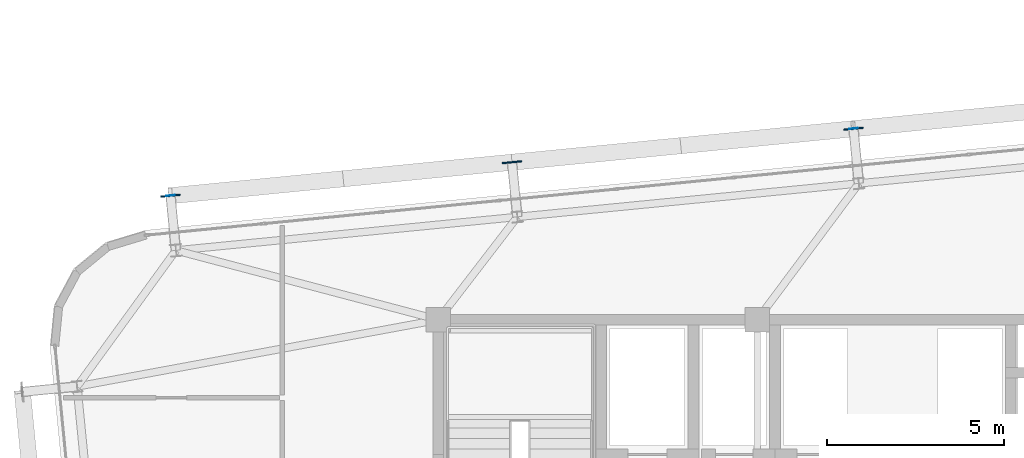
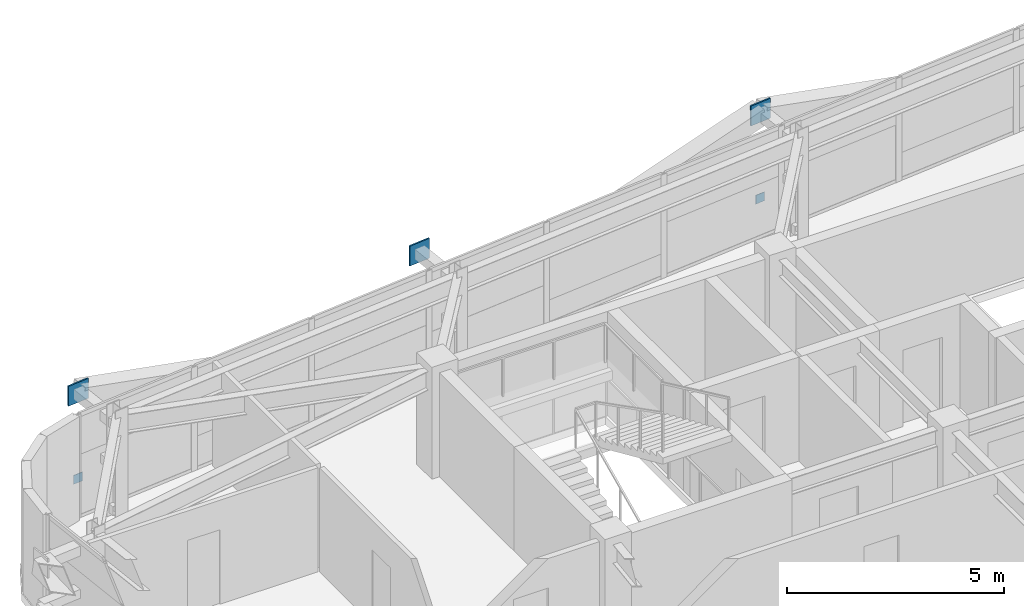
# One storey, part 43 of 53: 5 plates.
"""IFC4 building model written with IfcOpenShell, lengths in metres."""

from ifc_helpers import new_model, si_unit, direction, frame, origin, origin_2d, place, context, subcontext, project, spatial, rectangle, extrude, source, transform, mapped, material, layer, layer_set, type_object, element, save


model = new_model("IFC4")

# Units and contexts
model_context = context("Model", 3, precision=1e-05, world=origin(), true_north=direction((0.0, 1.0)))
body_context = subcontext(model_context, "Body", "Model", "MODEL_VIEW")
ifc_project = project(units=[si_unit("LENGTHUNIT", "METRE"), si_unit("AREAUNIT", "SQUARE_METRE"), si_unit("VOLUMEUNIT", "CUBIC_METRE"), si_unit("PLANEANGLEUNIT", "RADIAN"), si_unit("MASSUNIT", "GRAM", prefix="KILO")], contexts=[model_context])

# Site, building, storey
site_placement = place(None, origin())
site = spatial("IfcSite", under=ifc_project, at=site_placement, CompositionType="ELEMENT")
building_placement = place(site_placement, origin())
building = spatial("IfcBuilding", under=site, at=building_placement, Name="Taldren Reach Tower", CompositionType="ELEMENT")
storey_placement = place(building_placement, frame((0.0, 0.0, 84.0)))
storey = spatial("IfcBuildingStorey", under=building, at=storey_placement, Name="L25", CompositionType="ELEMENT", Elevation=84.0)

# Plates
ifc_material_1 = material(Name="Steel Gr 450 (C450L0)", Category="steel")
ifc_layer_1 = layer(ifc_material_1, 0.0400390625)
ifc_layer_set_1 = layer_set([ifc_layer_1], Name="Steel Gr 450 (C450L0)")
plate_type_1 = type_object("IfcPlateType", Name="PL-GUSSET-40", PredefinedType="SHEET", material=ifc_layer_set_1)
shared_shape_1 = source(origin(), body_context, "Body", "SweptSolid", [
    extrude(rectangle(XDim=0.56005859375, YDim=0.0400390625, at=origin_2d()), origin(), (0.0, 0.0, 1.0), 0.56005859375),
])
for number, where, z_axis, x_axis, name in (
    (1, (11.445556640625, 35.49951171875, 2.369873046875), (0.0, 0.0, 1.0), (0.995227399982, 0.097582899759, 0.0), "Exoskeleton star-node gusset plate B2-N1 L25"),
    (2, (21.079345703125, 36.444091796875, 2.369873046875), (0.0, 0.0, 1.0), (0.995227399982, 0.097582899759, 0.0), "Exoskeleton star-node gusset plate B2-N2 L25"),
    (3, (30.713134765625, 37.388671875, 2.369873046875), (0.0, 0.0, 1.0), (0.995227399982, 0.097582899759, 0.0), "Exoskeleton star-node gusset plate B2-N3 L25"),
):
    element("IfcPlate", number, at=place(storey_placement, frame(where, z_axis=z_axis, x_axis=x_axis)), inside=storey, type_object=plate_type_1, Name=name, PredefinedType="SHEET", context=body_context, shape_type="MappedRepresentation", body=[
        mapped(shared_shape_1, transform((0.0, 0.0, 0.0), scale=1.0)),
    ])
ifc_material_2 = material(Name="Steel Gr 350 (C350L0)", Category="steel")
ifc_layer_2 = layer(ifc_material_2, 0.011962890625)
ifc_layer_set_2 = layer_set([ifc_layer_2], Name="Steel Gr 350 (C350L0)")
plate_type_2 = type_object("IfcPlateType", Name="PL-CAP-250", PredefinedType="SHEET", material=ifc_layer_set_2)
shared_shape_2 = source(origin(), body_context, "Body", "SweptSolid", [
    extrude(rectangle(XDim=0.25, YDim=0.011962890625, at=origin_2d()), origin(), (0.0, 0.0, 1.0), 0.25),
])
for number, where, z_axis, x_axis, name in (
    (4, (11.445068359375, 35.50537109375, 0.094970703125), (0.0, 0.0, 1.0), (0.995227399982, 0.097582899759, 0.0), "Tie strut end cap plate B2-N1 L25"),
    (5, (30.712646484375, 37.394775390625, 0.094970703125), (0.0, 0.0, 1.0), (0.995227399982, 0.097582899759, 0.0), "Tie strut end cap plate B2-N3 L25"),
):
    element("IfcPlate", number, at=place(storey_placement, frame(where, z_axis=z_axis, x_axis=x_axis)), inside=storey, type_object=plate_type_2, Name=name, PredefinedType="SHEET", context=body_context, shape_type="MappedRepresentation", body=[
        mapped(shared_shape_2, transform((0.0, 0.0, 0.0), scale=1.0)),
    ])

save(model, "model.ifc")
